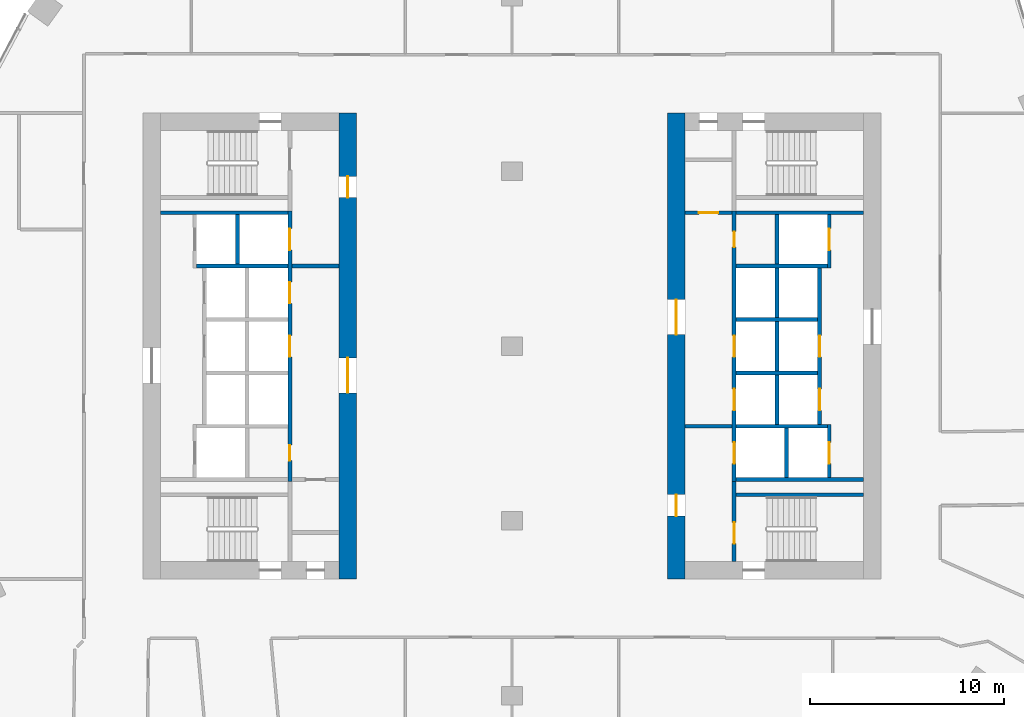
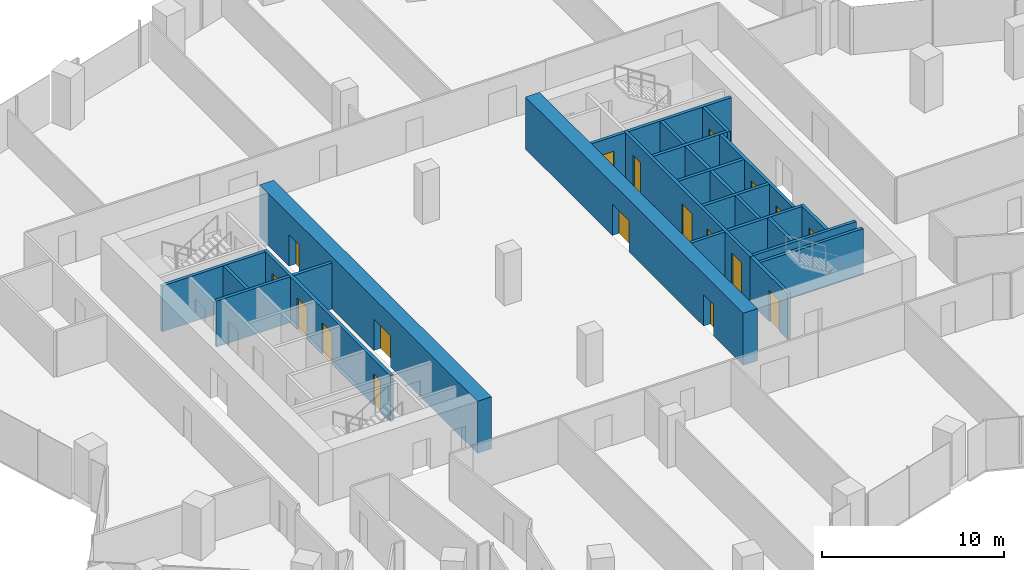
# One storey, part 25 of 31: 26 walls, 18 doors, 18 openings.
"""IFC4 building model written with IfcOpenShell, lengths in metres."""

import ifcopenshell
import ifcopenshell.guid

model = None  # the IFC model being written
_history = None  # IfcOwnerHistory: only IFC2X3 demands one
_inside = {}  # id of a spatial element -> (the spatial element, [elements in it])
_under = {}  # id of a project, library or spatial element -> (it, [spatial elements below it])
_declared = {}  # id of a project -> (the project, [libraries it declares])
_typed = {}  # id of a type object -> (the type object, [elements of that type])
_made_of = {}  # id of a material, layer set ... -> (it, [elements and type objects made of it])


def new_model(schema):
    """Start an empty IFC model of exactly this schema.

    Asked for "IFC4X3", IfcOpenShell would pick the latest addendum, in which some entities
    have other attributes; the version numbers below select the first issue.
    IFC2X3 requires an IfcOwnerHistory on every rooted entity: one is made here for all.
    """
    global model, _history
    if schema == "IFC4X3":
        model = ifcopenshell.file(schema_version=(4, 3, 0, 0))
    else:
        model = ifcopenshell.file(schema=schema)
    _inside.clear()
    _under.clear()
    _declared.clear()
    _typed.clear()
    _made_of.clear()
    _history = None
    if model.schema == "IFC2X3":
        org = make("IfcOrganization", Name="unknown")
        user = make(
            "IfcPersonAndOrganization",
            ThePerson=make("IfcPerson", FamilyName="unknown"),
            TheOrganization=org,
        )
        app = make(
            "IfcApplication",
            ApplicationDeveloper=org,
            Version="unknown",
            ApplicationFullName="unknown",
            ApplicationIdentifier="unknown",
        )
        _history = make(
            "IfcOwnerHistory",
            OwningUser=user,
            OwningApplication=app,
            ChangeAction="ADDED",
            CreationDate=0,
        )
    return model


def make(cls, **values):
    """One entity of the class cls with the attributes given. An attribute that is None is left unset."""
    return model.create_entity(
        cls, **{name: value for name, value in values.items() if value is not None}
    )


def rooted(cls, **values):
    """An entity with a GlobalId (a new one), such as an element, a storey or a relation."""
    return make(cls, GlobalId=ifcopenshell.guid.new(), OwnerHistory=_history, **values)


def si_unit(unit_type, name, prefix=None):
    """IfcSIUnit, for example si_unit("LENGTHUNIT", "METRE", prefix="MILLI")."""
    return make("IfcSIUnit", UnitType=unit_type, Prefix=prefix, Name=name)


def assignment(units):
    """IfcUnitAssignment: the units of a project."""
    return None if units is None else make("IfcUnitAssignment", Units=units)


def point(xyz):
    """IfcCartesianPoint."""
    return None if xyz is None else make("IfcCartesianPoint", Coordinates=xyz)


def direction(xyz):
    """IfcDirection."""
    return None if xyz is None else make("IfcDirection", DirectionRatios=xyz)


def frame(location, z_axis=None, x_axis=None):
    """IfcAxis2Placement3D, a coordinate frame: its origin and axes. An axis left out is left unset."""
    return make(
        "IfcAxis2Placement3D",
        Location=point(location),
        Axis=direction(z_axis),
        RefDirection=direction(x_axis),
    )


def frame_2d(location, x_axis=None):
    """IfcAxis2Placement2D, a coordinate frame in the plane: its origin and x axis."""
    return make(
        "IfcAxis2Placement2D", Location=point(location), RefDirection=direction(x_axis)
    )


def origin():
    """The frame at (0, 0, 0) with its axes left unset."""
    return frame((0.0, 0.0, 0.0))


def place(relative_to, where):
    """IfcLocalPlacement: puts the frame where relative to a parent placement (None: the world)."""
    return make(
        "IfcLocalPlacement", PlacementRelTo=relative_to, RelativePlacement=where
    )


def context(
    kind, dimensions, precision=None, world=None, true_north=None, identifier=None
):
    """IfcGeometricRepresentationContext, for example the 3D "Model" context."""
    return make(
        "IfcGeometricRepresentationContext",
        ContextIdentifier=identifier,
        ContextType=kind,
        CoordinateSpaceDimension=dimensions,
        Precision=precision,
        WorldCoordinateSystem=world,
        TrueNorth=true_north,
    )


def subcontext(parent, identifier, kind, view, scale=None):
    """IfcGeometricRepresentationSubContext, for example "Body" below "Model"."""
    return make(
        "IfcGeometricRepresentationSubContext",
        ContextIdentifier=identifier,
        ContextType=kind,
        ParentContext=parent,
        TargetScale=scale,
        TargetView=view,
    )


def project(units=None, contexts=None):
    """IfcProject with its units and contexts."""
    return rooted(
        "IfcProject",
        Name="project",
        RepresentationContexts=contexts,
        UnitsInContext=assignment(units),
    )


def spatial(cls, under=None, at=None, **own):
    """A site, building, storey or space (cls), placed at a placement, below another one or the project."""
    s = rooted(cls, ObjectPlacement=at, **own)
    if under is not None:
        _under.setdefault(under.id(), (under, []))[1].append(s)
    return s


def profile(cls, at=None, kind="AREA", **sizes):
    """A parametric profile (cls). Its sizes go by their IFC names, for example OverallWidth=200.0."""
    return make(cls, ProfileType=kind, Position=at, **sizes)


def rectangle(**sizes):
    """IfcRectangleProfileDef."""
    return profile("IfcRectangleProfileDef", **sizes)


def extrude(swept, where, along, depth):
    """IfcExtrudedAreaSolid: the profile swept, set in the frame where, extruded along a direction by depth."""
    return make(
        "IfcExtrudedAreaSolid",
        SweptArea=swept,
        Position=where,
        ExtrudedDirection=direction(along),
        Depth=depth,
    )


def shape(context_of_items, identifier, shape_type, items):
    """IfcShapeRepresentation: the items that make up one representation, for example the "Body"."""
    return make(
        "IfcShapeRepresentation",
        ContextOfItems=context_of_items,
        RepresentationIdentifier=identifier,
        RepresentationType=shape_type,
        Items=items,
    )


def material(Name=None, Category=None):
    """IfcMaterial."""
    return make("IfcMaterial", Name=Name, Category=Category)


def layer(
    of_material, thickness, ventilated=None, Name=None, Category=None, Priority=None
):
    """IfcMaterialLayer: one layer of a wall or slab, of a material (None: an air gap)."""
    return make(
        "IfcMaterialLayer",
        Material=of_material,
        LayerThickness=thickness,
        IsVentilated=ventilated,
        Name=Name,
        Category=Category,
        Priority=Priority,
    )


def layer_set(layers, Name=None):
    """IfcMaterialLayerSet."""
    return make("IfcMaterialLayerSet", MaterialLayers=layers, LayerSetName=Name)


def made_of(thing, what):
    """Note that an element or type object is made of a material, layer set ...; save() writes the relation."""
    if what is not None:
        _made_of.setdefault(what.id(), (what, []))[1].append(thing)
    return thing


def type_object(cls, material=None, **own):
    """A type object (cls), such as IfcWallType, which elements share."""
    return made_of(rooted(cls, **own), material)


def element(
    cls,
    number,
    at=None,
    inside=None,
    cuts=None,
    type_object=None,
    material=None,
    context=None,
    identifier="Body",
    shape_type=None,
    held_by="IfcProductDefinitionShape",
    body=None,
    shapes=None,
    **own,
):
    """One element of the class cls, such as IfcWall. Its Tag is "e" and its number.

    at: its placement. inside: the storey or other place that contains it. cuts: it is an
    opening in that element (IfcRelVoidsElement). A single representation is given by context,
    identifier, shape_type and body (its items); several are given by shapes. held_by: the class
    of the entity that holds the representations. save() writes the other relations.
    """
    e = rooted(cls, Tag="e%d" % number, ObjectPlacement=at, **own)
    if body is not None:
        shapes = [shape(context, identifier, shape_type, body)]
    if shapes is not None:
        e.Representation = make(held_by, Representations=shapes)
    if inside is not None:
        _inside.setdefault(inside.id(), (inside, []))[1].append(e)
    if cuts is not None:
        rooted(
            "IfcRelVoidsElement", RelatingBuildingElement=cuts, RelatedOpeningElement=e
        )
    if type_object is not None:
        _typed.setdefault(type_object.id(), (type_object, []))[1].append(e)
    return made_of(e, material)


def fill(opening, filler):
    """IfcRelFillsElement: the door or window that sits in an opening."""
    return rooted(
        "IfcRelFillsElement",
        RelatingOpeningElement=opening,
        RelatedBuildingElement=filler,
    )


def aggregate(whole, parts):
    """IfcRelAggregates: a whole, such as a stair, and the parts it consists of."""
    return rooted("IfcRelAggregates", RelatingObject=whole, RelatedObjects=parts)


def save(model, path):
    """Write the relations noted so far, then the file.

    IfcRelAggregates (storeys below a building ...), IfcRelContainedInSpatialStructure (elements
    in a storey), IfcRelDefinesByType, IfcRelAssociatesMaterial and IfcRelDeclares: one each for
    every whole, place, type object, material and project.
    """
    for whole, parts in _under.values():
        aggregate(whole, parts)
    for where, things in _inside.values():
        rooted(
            "IfcRelContainedInSpatialStructure",
            RelatedElements=things,
            RelatingStructure=where,
        )
    for kind, things in _typed.values():
        rooted("IfcRelDefinesByType", RelatedObjects=things, RelatingType=kind)
    for what, things in _made_of.values():
        rooted("IfcRelAssociatesMaterial", RelatedObjects=things, RelatingMaterial=what)
    for by, libraries in _declared.values():
        rooted("IfcRelDeclares", RelatingContext=by, RelatedDefinitions=libraries)
    model.write(path)


model = new_model("IFC4")

# Units and contexts
model_context = context("Model", 3, precision=1e-05, world=origin(), true_north=direction((0.0, 1.0)))
body_context = subcontext(model_context, "Body", "Model", "MODEL_VIEW")
ifc_project = project(units=[si_unit("LENGTHUNIT", "METRE"), si_unit("AREAUNIT", "SQUARE_METRE"), si_unit("VOLUMEUNIT", "CUBIC_METRE"), si_unit("PLANEANGLEUNIT", "RADIAN"), si_unit("MASSUNIT", "GRAM", prefix="KILO")], contexts=[model_context])

# Site, building, storey
site_placement = place(None, origin())
site = spatial("IfcSite", under=ifc_project, at=site_placement, CompositionType="ELEMENT")
building_placement = place(site_placement, origin())
building = spatial("IfcBuilding", under=site, at=building_placement, Name="Orlundy Tower", CompositionType="ELEMENT")
storey_placement = place(building_placement, frame((0.0, 0.0, 94.699951171875)))
storey = spatial("IfcBuildingStorey", under=building, at=storey_placement, Name="L23", CompositionType="ELEMENT", Elevation=94.699951171875)

# Wall, openings, doors
ifc_material_1 = material(Name="Concrete C80/95", Category="concrete")
ifc_layer_1 = layer(ifc_material_1, 0.89990234375)
ifc_layer_set_1 = layer_set([ifc_layer_1], Name="CORE WALL 900 C80/95")
wall_type_1 = type_object("IfcWallType", Name="CORE WALL 900 C80/95", PredefinedType="SHEAR", material=ifc_layer_set_1)
wall_1_placement = place(storey_placement, frame((-8.449951171875, -12.0, 0.0), z_axis=(0.0, 0.0, 1.0), x_axis=(0.0, 1.0, 0.0)))
wall_1 = element("IfcWall", 1, at=wall_1_placement, inside=storey, type_object=wall_type_1, Name="Core wall W-E L23", PredefinedType="SHEAR", context=body_context, shape_type="SweptSolid", body=[
    extrude(rectangle(XDim=24.0, YDim=0.89990234375, at=frame_2d((12.0, 0.0))), origin(), (0.0, 0.0, 1.0), 3.5),
])
opening_1_placement = place(wall_1_placement, frame((9.60009765625, 0.0, 0.0)))
opening_1 = element("IfcOpeningElement", 2, at=opening_1_placement, cuts=wall_1, Name="Opening 18009", PredefinedType="OPENING", context=body_context, shape_type="SweptSolid", body=[
    extrude(rectangle(XDim=1.800048828125, YDim=2.10009765625, at=frame_2d((0.89990234375, 1.050048828125))), frame((0.0, 0.4599609375, 0.0), z_axis=(0.0, -1.0, 0.0), x_axis=(1.0, 0.0, 0.0)), (0.0, 0.0, 1.0), 0.919921875),
])
opening_2_placement = place(wall_1_placement, frame((19.64990234375, 0.0, 0.0)))
opening_2 = element("IfcOpeningElement", 3, at=opening_2_placement, cuts=wall_1, Name="Opening 18011", PredefinedType="OPENING", context=body_context, shape_type="SweptSolid", body=[
    extrude(rectangle(XDim=1.10009765625, YDim=2.10009765625, at=frame_2d((0.550048828125, 1.050048828125))), frame((0.0, 0.4599609375, 0.0), z_axis=(0.0, -1.0, 0.0), x_axis=(1.0, 0.0, 0.0)), (0.0, 0.0, 1.0), 0.919921875),
])
ifc_material_2 = material(Name="Steel door set", Category="steel")
door_type_1 = type_object("IfcDoorType", Name="Fire-fighting Lobby Door 1100x2100", OperationType="SINGLE_SWING_LEFT", PredefinedType="DOOR", material=ifc_material_2)
door_1_placement = place(opening_2_placement, origin())
door_1 = element("IfcDoor", 4, at=door_1_placement, inside=storey, type_object=door_type_1, Name="Fire-fighting lobby door 18011", OperationType="SINGLE_SWING_RIGHT", OverallHeight=2.10009765625, OverallWidth=1.10009765625, PredefinedType="DOOR", context=body_context, shape_type="SweptSolid", body=[
    extrude(rectangle(XDim=1.10009765625, YDim=2.10009765625, at=frame_2d((0.550048828125, 1.050048828125))), frame((0.0, 0.02490234375, 0.0), z_axis=(0.0, -1.0, 0.0), x_axis=(1.0, 0.0, 0.0)), (0.0, 0.0, 1.0), 0.050048828125),
])
fill(opening_2, door_1)
ifc_material_3 = material(Name="Timber door set", Category="wood")
door_type_2 = type_object("IfcDoorType", Name="Lobby Door 1800x2100", OperationType="DOUBLE_DOOR_DOUBLE_SWING", PredefinedType="DOOR", material=ifc_material_3)
door_2_placement = place(opening_1_placement, origin())
door_2 = element("IfcDoor", 5, at=door_2_placement, inside=storey, type_object=door_type_2, Name="Lift lobby door 18009", OperationType="SINGLE_SWING_LEFT", OverallHeight=2.10009765625, OverallWidth=1.800048828125, PredefinedType="DOOR", context=body_context, shape_type="SweptSolid", body=[
    extrude(rectangle(XDim=1.800048828125, YDim=2.10009765625, at=frame_2d((0.89990234375, 1.050048828125))), frame((0.0, 0.02490234375, 0.0), z_axis=(0.0, -1.0, 0.0), x_axis=(1.0, 0.0, 0.0)), (0.0, 0.0, 1.0), 0.050048828125),
])
fill(opening_1, door_2)

wall_2_placement = place(storey_placement, frame((8.449951171875, -12.0, 0.0), z_axis=(0.0, 0.0, 1.0), x_axis=(0.0, 1.0, 0.0)))
wall_2 = element("IfcWall", 6, at=wall_2_placement, inside=storey, type_object=wall_type_1, Name="Core wall E-W L23", PredefinedType="SHEAR", context=body_context, shape_type="SweptSolid", body=[
    extrude(rectangle(XDim=24.0, YDim=0.89990234375, at=frame_2d((12.0, 0.0))), origin(), (0.0, 0.0, 1.0), 3.5),
])
opening_3_placement = place(wall_2_placement, frame((12.60009765625, 0.0, 0.0)))
opening_3 = element("IfcOpeningElement", 7, at=opening_3_placement, cuts=wall_2, Name="Opening 18058", PredefinedType="OPENING", context=body_context, shape_type="SweptSolid", body=[
    extrude(rectangle(XDim=1.800048828125, YDim=2.10009765625, at=frame_2d((0.89990234375, 1.050048828125))), frame((0.0, 0.4599609375, 0.0), z_axis=(0.0, -1.0, 0.0), x_axis=(1.0, 0.0, 0.0)), (0.0, 0.0, 1.0), 0.919921875),
])
opening_4_placement = place(wall_2_placement, frame((3.25, 0.0, 0.0)))
opening_4 = element("IfcOpeningElement", 8, at=opening_4_placement, cuts=wall_2, Name="Opening 18060", PredefinedType="OPENING", context=body_context, shape_type="SweptSolid", body=[
    extrude(rectangle(XDim=1.10009765625, YDim=2.10009765625, at=frame_2d((0.550048828125, 1.050048828125))), frame((0.0, 0.4599609375, 0.0), z_axis=(0.0, -1.0, 0.0), x_axis=(1.0, 0.0, 0.0)), (0.0, 0.0, 1.0), 0.919921875),
])
door_3_placement = place(opening_4_placement, origin())
door_3 = element("IfcDoor", 9, at=door_3_placement, inside=storey, type_object=door_type_1, Name="Fire-fighting lobby door 18060", OperationType="SINGLE_SWING_LEFT", OverallHeight=2.10009765625, OverallWidth=1.10009765625, PredefinedType="DOOR", context=body_context, shape_type="SweptSolid", body=[
    extrude(rectangle(XDim=1.10009765625, YDim=2.10009765625, at=frame_2d((0.550048828125, 1.050048828125))), frame((0.0, 0.02490234375, 0.0), z_axis=(0.0, -1.0, 0.0), x_axis=(1.0, 0.0, 0.0)), (0.0, 0.0, 1.0), 0.050048828125),
])
fill(opening_4, door_3)
door_4_placement = place(opening_3_placement, origin())
door_4 = element("IfcDoor", 10, at=door_4_placement, inside=storey, type_object=door_type_2, Name="Lift lobby door 18058", OperationType="SINGLE_SWING_RIGHT", OverallHeight=2.10009765625, OverallWidth=1.800048828125, PredefinedType="DOOR", context=body_context, shape_type="SweptSolid", body=[
    extrude(rectangle(XDim=1.800048828125, YDim=2.10009765625, at=frame_2d((0.89990234375, 1.050048828125))), frame((0.0, 0.02490234375, 0.0), z_axis=(0.0, -1.0, 0.0), x_axis=(1.0, 0.0, 0.0)), (0.0, 0.0, 1.0), 0.050048828125),
])
fill(opening_3, door_4)

# Wall, opening, door
ifc_material_4 = material(Name="Concrete C40/50", Category="concrete")
ifc_layer_2 = layer(ifc_material_4, 0.199951171875)
ifc_layer_set_2 = layer_set([ifc_layer_2], Name="Load-bearing Shaft Wall 200")
wall_type_2 = type_object("IfcWallType", Name="Load-bearing Shaft Wall 200", PredefinedType="SOLIDWALL", material=ifc_layer_set_2)
wall_3_placement = place(storey_placement, frame((11.43994140625, -6.97509765625, 0.0), z_axis=(0.0, 0.0, 1.0), x_axis=(0.0, -1.0, 0.0)))
wall_3 = element("IfcWall", 11, at=wall_3_placement, inside=storey, type_object=wall_type_2, Name="Shaft wall E18-stair-end-n", PredefinedType="SOLIDWALL", context=body_context, shape_type="SweptSolid", body=[
    extrude(rectangle(XDim=4.125, YDim=0.199951171875, at=frame_2d((2.0625, 0.0))), origin(), (0.0, 0.0, 1.0), 3.090087890625),
])
opening_5_placement = place(wall_3_placement, frame((2.10009765625, 0.0, 0.0)))
opening_5 = element("IfcOpeningElement", 12, at=opening_5_placement, cuts=wall_3, Name="Opening 18063", PredefinedType="OPENING", context=body_context, shape_type="SweptSolid", body=[
    extrude(rectangle(XDim=1.10009765625, YDim=2.10009765625, at=frame_2d((0.550048828125, 1.050048828125))), frame((0.0, 0.110107421875, 0.0), z_axis=(0.0, -1.0, 0.0), x_axis=(1.0, 0.0, 0.0)), (0.0, 0.0, 1.0), 0.22021484375),
])
door_5_placement = place(opening_5_placement, origin())
door_5 = element("IfcDoor", 13, at=door_5_placement, inside=storey, type_object=door_type_1, Name="Fire-fighting lobby to stair door 18063", OperationType="SINGLE_SWING_RIGHT", OverallHeight=2.10009765625, OverallWidth=1.10009765625, PredefinedType="DOOR", context=body_context, shape_type="SweptSolid", body=[
    extrude(rectangle(XDim=1.10009765625, YDim=2.10009765625, at=frame_2d((0.550048828125, 1.050048828125))), frame((0.0, 0.02490234375, 0.0), z_axis=(0.0, -1.0, 0.0), x_axis=(1.0, 0.0, 0.0)), (0.0, 0.0, 1.0), 0.050048828125),
])
fill(opening_5, door_5)

# Walls
wall_4_placement = place(storey_placement, frame((11.5400390625, -7.64990234375, 0.0), z_axis=(0.0, 0.0, 1.0), x_axis=(1.0, 0.0, 0.0)))
element("IfcWall", 14, at=wall_4_placement, inside=storey, type_object=wall_type_2, Name="Shaft wall E18-stair-side-n", PredefinedType="SOLIDWALL", context=body_context, shape_type="SweptSolid", body=[
    extrude(rectangle(XDim=6.56005859375, YDim=0.199951171875, at=frame_2d((3.280029296875, 0.0))), origin(), (0.0, 0.0, 1.0), 3.090087890625),
])
ifc_material_5 = material(Name="Gypsum board partition on steel studs", Category="steel")
ifc_layer_3 = layer(ifc_material_5, 0.199951171875)
ifc_layer_set_3 = layer_set([ifc_layer_3], Name="Partition 200")
wall_type_3 = type_object("IfcWallType", Name="Partition 200", PredefinedType="PARTITIONING", material=ifc_layer_set_3)
for number, where, z_axis, x_axis, name in (
    (15, (-8.89990234375, 4.125, 0.0), (0.0, 0.0, 1.0), (-1.0, 0.0, 0.0), "Partition wall W18-lobby-n"),
    (16, (8.89990234375, -4.125, 0.0), (0.0, 0.0, 1.0), (1.0, 0.0, 0.0), "Partition wall E18-lobby-n"),
):
    element("IfcWall", number, at=place(storey_placement, frame(where, z_axis=z_axis, x_axis=x_axis)), inside=storey, type_object=wall_type_3, Name=name, PredefinedType="PARTITIONING", context=body_context, shape_type="SweptSolid", body=[
        extrude(rectangle(XDim=2.440185546875, YDim=0.199951171875, at=frame_2d((1.22021484375, 0.0))), origin(), (0.0, 0.0, 1.0), 3.090087890625),
    ])

# Wall, opening, door
wall_5_placement = place(storey_placement, frame((8.89990234375, 6.875, 0.0), z_axis=(0.0, 0.0, 1.0), x_axis=(1.0, 0.0, 0.0)))
wall_5 = element("IfcWall", 17, at=wall_5_placement, inside=storey, type_object=wall_type_3, Name="Partition wall E18-end-s", PredefinedType="PARTITIONING", context=body_context, shape_type="SweptSolid", body=[
    extrude(rectangle(XDim=2.440185546875, YDim=0.199951171875, at=frame_2d((1.22021484375, 0.0))), origin(), (0.0, 0.0, 1.0), 3.090087890625),
])
opening_6_placement = place(wall_5_placement, frame((0.719970703125, 0.0, 0.0)))
opening_6 = element("IfcOpeningElement", 18, at=opening_6_placement, cuts=wall_5, Name="Opening 18065", PredefinedType="OPENING", context=body_context, shape_type="SweptSolid", body=[
    extrude(rectangle(XDim=1.0, YDim=2.10009765625, at=frame_2d((0.5, 1.050048828125))), frame((0.0, 0.110107421875, 0.0), z_axis=(0.0, -1.0, 0.0), x_axis=(1.0, 0.0, 0.0)), (0.0, 0.0, 1.0), 0.22021484375),
])
ifc_material_6 = material(Name="Timber door set", Category="wood")
door_type_3 = type_object("IfcDoorType", Name="Accessible Door 1000x2100", OperationType="SINGLE_SWING_LEFT", PredefinedType="DOOR", material=ifc_material_6)
door_6_placement = place(opening_6_placement, origin())
door_6 = element("IfcDoor", 19, at=door_6_placement, inside=storey, type_object=door_type_3, Name="Accessible WC door 18065", OperationType="SINGLE_SWING_RIGHT", OverallHeight=2.10009765625, OverallWidth=1.0, PredefinedType="DOOR", context=body_context, shape_type="SweptSolid", body=[
    extrude(rectangle(XDim=1.0, YDim=2.10009765625, at=frame_2d((0.5, 1.050048828125))), frame((0.0, 0.02490234375, 0.0), z_axis=(0.0, -1.0, 0.0), x_axis=(1.0, 0.0, 0.0)), (0.0, 0.0, 1.0), 0.050048828125),
])
fill(opening_6, door_6)

# Walls
ifc_material_7 = material(Name="Fire-rated blockwork shaft wall", Category="masonry")
ifc_layer_4 = layer(ifc_material_7, 0.199951171875)
ifc_layer_set_4 = layer_set([ifc_layer_4], Name="Shaft Wall 200")
wall_type_4 = type_object("IfcWallType", Name="Shaft Wall 200", PredefinedType="SOLIDWALL", material=ifc_layer_set_4)
wall_6_placement = place(storey_placement, frame((-11.5400390625, 6.875, 0.0), z_axis=(0.0, 0.0, 1.0), x_axis=(-1.0, 0.0, 0.0)))
element("IfcWall", 20, at=wall_6_placement, inside=storey, type_object=wall_type_4, Name="Shaft wall W18-zone-n", PredefinedType="SOLIDWALL", context=body_context, shape_type="SweptSolid", body=[
    extrude(rectangle(XDim=6.56005859375, YDim=0.199951171875, at=frame_2d((3.280029296875, 0.0))), origin(), (0.0, 0.0, 1.0), 3.090087890625),
])
wall_7_placement = place(storey_placement, frame((-11.5400390625, 4.125, 0.0), z_axis=(0.0, 0.0, 1.0), x_axis=(-1.0, 0.0, 0.0)))
element("IfcWall", 21, at=wall_7_placement, inside=storey, type_object=wall_type_4, Name="Shaft wall W18-cross+4.125", PredefinedType="SOLIDWALL", context=body_context, shape_type="SweptSolid", body=[
    extrude(rectangle(XDim=4.699951171875, YDim=0.199951171875, at=frame_2d((2.35009765625, 0.0))), origin(), (0.0, 0.0, 1.0), 3.090087890625),
])

# Wall, openings, doors
wall_8_placement = place(storey_placement, frame((-11.43994140625, -6.97509765625, 0.0), z_axis=(0.0, 0.0, 1.0), x_axis=(0.0, 1.0, 0.0)))
wall_8 = element("IfcWall", 22, at=wall_8_placement, inside=storey, type_object=wall_type_4, Name="Shaft wall W18-front-h", PredefinedType="SOLIDWALL", context=body_context, shape_type="SweptSolid", body=[
    extrude(rectangle(XDim=13.9501953125, YDim=0.199951171875, at=frame_2d((6.97509765625, 0.0))), origin(), (0.0, 0.0, 1.0), 3.090087890625),
])
opening_7_placement = place(wall_8_placement, frame((6.425048828125, 0.0, 0.0)))
opening_7 = element("IfcOpeningElement", 23, at=opening_7_placement, cuts=wall_8, Name="Opening 18002", PredefinedType="OPENING", context=body_context, shape_type="SweptSolid", body=[
    extrude(rectangle(XDim=1.10009765625, YDim=2.10009765625, at=frame_2d((0.550048828125, 1.050048828125))), frame((0.0, 0.110107421875, 0.0), z_axis=(0.0, -1.0, 0.0), x_axis=(1.0, 0.0, 0.0)), (0.0, 0.0, 1.0), 0.22021484375),
])
opening_8_placement = place(wall_8_placement, frame((9.175048828125, 0.0, 0.0)))
opening_8 = element("IfcOpeningElement", 24, at=opening_8_placement, cuts=wall_8, Name="Opening 18004", PredefinedType="OPENING", context=body_context, shape_type="SweptSolid", body=[
    extrude(rectangle(XDim=1.10009765625, YDim=2.10009765625, at=frame_2d((0.550048828125, 1.050048828125))), frame((0.0, 0.110107421875, 0.0), z_axis=(0.0, -1.0, 0.0), x_axis=(1.0, 0.0, 0.0)), (0.0, 0.0, 1.0), 0.22021484375),
])
opening_9_placement = place(wall_8_placement, frame((11.925048828125, 0.0, 0.0)))
opening_9 = element("IfcOpeningElement", 25, at=opening_9_placement, cuts=wall_8, Name="Opening 18006", PredefinedType="OPENING", context=body_context, shape_type="SweptSolid", body=[
    extrude(rectangle(XDim=1.10009765625, YDim=2.10009765625, at=frame_2d((0.550048828125, 1.050048828125))), frame((0.0, 0.110107421875, 0.0), z_axis=(0.0, -1.0, 0.0), x_axis=(1.0, 0.0, 0.0)), (0.0, 0.0, 1.0), 0.22021484375),
])
opening_10_placement = place(wall_8_placement, frame((1.074951171875, 0.0, 0.0)))
opening_10 = element("IfcOpeningElement", 26, at=opening_10_placement, cuts=wall_8, Name="Opening 18008", PredefinedType="OPENING", context=body_context, shape_type="SweptSolid", body=[
    extrude(rectangle(XDim=0.800048828125, YDim=2.10009765625, at=frame_2d((0.39990234375, 1.050048828125))), frame((0.0, 0.110107421875, 0.0), z_axis=(0.0, -1.0, 0.0), x_axis=(1.0, 0.0, 0.0)), (0.0, 0.0, 1.0), 0.22021484375),
])
ifc_material_8 = material(Name="Steel door set", Category="steel")
door_type_4 = type_object("IfcDoorType", Name="Landing Door 1100x2100", OperationType="DOUBLE_DOOR_SLIDING", PredefinedType="DOOR", material=ifc_material_8)
door_7_placement = place(opening_7_placement, origin())
door_7 = element("IfcDoor", 27, at=door_7_placement, inside=storey, type_object=door_type_4, Name="Lift landing door LP-05 18002", OperationType="DOUBLE_DOOR_SLIDING", OverallHeight=2.10009765625, OverallWidth=1.10009765625, PredefinedType="DOOR", context=body_context, shape_type="SweptSolid", body=[
    extrude(rectangle(XDim=1.10009765625, YDim=2.10009765625, at=frame_2d((0.550048828125, 1.050048828125))), frame((0.0, 0.02490234375, 0.0), z_axis=(0.0, -1.0, 0.0), x_axis=(1.0, 0.0, 0.0)), (0.0, 0.0, 1.0), 0.050048828125),
])
fill(opening_7, door_7)
door_8_placement = place(opening_8_placement, origin())
door_8 = element("IfcDoor", 28, at=door_8_placement, inside=storey, type_object=door_type_4, Name="Lift landing door LP-02 18004", OperationType="DOUBLE_DOOR_SLIDING", OverallHeight=2.10009765625, OverallWidth=1.10009765625, PredefinedType="DOOR", context=body_context, shape_type="SweptSolid", body=[
    extrude(rectangle(XDim=1.10009765625, YDim=2.10009765625, at=frame_2d((0.550048828125, 1.050048828125))), frame((0.0, 0.02490234375, 0.0), z_axis=(0.0, -1.0, 0.0), x_axis=(1.0, 0.0, 0.0)), (0.0, 0.0, 1.0), 0.050048828125),
])
fill(opening_8, door_8)
door_9_placement = place(opening_9_placement, origin())
door_9 = element("IfcDoor", 29, at=door_9_placement, inside=storey, type_object=door_type_4, Name="Lift landing door FL1 18006", OperationType="DOUBLE_DOOR_SLIDING", OverallHeight=2.10009765625, OverallWidth=1.10009765625, PredefinedType="DOOR", context=body_context, shape_type="SweptSolid", body=[
    extrude(rectangle(XDim=1.10009765625, YDim=2.10009765625, at=frame_2d((0.550048828125, 1.050048828125))), frame((0.0, 0.02490234375, 0.0), z_axis=(0.0, -1.0, 0.0), x_axis=(1.0, 0.0, 0.0)), (0.0, 0.0, 1.0), 0.050048828125),
])
fill(opening_9, door_9)
ifc_material_9 = material(Name="Timber door set", Category="wood")
door_type_5 = type_object("IfcDoorType", Name="Riser Door 800x2100", OperationType="SINGLE_SWING_LEFT", PredefinedType="DOOR", material=ifc_material_9)
door_10_placement = place(opening_10_placement, origin())
door_10 = element("IfcDoor", 30, at=door_10_placement, inside=storey, type_object=door_type_5, Name="Electrical Riser Room door 18008", OperationType="SINGLE_SWING_LEFT", OverallHeight=2.10009765625, OverallWidth=0.800048828125, PredefinedType="DOOR", context=body_context, shape_type="SweptSolid", body=[
    extrude(rectangle(XDim=0.800048828125, YDim=2.10009765625, at=frame_2d((0.39990234375, 1.050048828125))), frame((0.0, 0.02490234375, 0.0), z_axis=(0.0, -1.0, 0.0), x_axis=(1.0, 0.0, 0.0)), (0.0, 0.0, 1.0), 0.050048828125),
])
fill(opening_10, door_10)

# Walls
wall_9_placement = place(storey_placement, frame((-14.139892578125, 4.22509765625, 0.0), z_axis=(0.0, 0.0, 1.0), x_axis=(0.0, 1.0, 0.0)))
element("IfcWall", 31, at=wall_9_placement, inside=storey, type_object=wall_type_4, Name="Shaft wall W18-mid-b", PredefinedType="SOLIDWALL", context=body_context, shape_type="SweptSolid", body=[
    extrude(rectangle(XDim=2.5498046875, YDim=0.199951171875, at=frame_2d((1.27490234375, 0.0))), origin(), (0.0, 0.0, 1.0), 3.090087890625),
])
for number, where, z_axis, x_axis, name in (
    (32, (11.5400390625, -6.875, 0.0), (0.0, 0.0, 1.0), (1.0, 0.0, 0.0), "Shaft wall E18-zone-n"),
    (33, (11.5400390625, 6.875, 0.0), (0.0, 0.0, 1.0), (1.0, 0.0, 0.0), "Shaft wall E18-zone-s"),
):
    element("IfcWall", number, at=place(storey_placement, frame(where, z_axis=z_axis, x_axis=x_axis)), inside=storey, type_object=wall_type_4, Name=name, PredefinedType="SOLIDWALL", context=body_context, shape_type="SweptSolid", body=[
        extrude(rectangle(XDim=6.56005859375, YDim=0.199951171875, at=frame_2d((3.280029296875, 0.0))), origin(), (0.0, 0.0, 1.0), 3.090087890625),
    ])
wall_10_placement = place(storey_placement, frame((11.5400390625, 4.125, 0.0), z_axis=(0.0, 0.0, 1.0), x_axis=(1.0, 0.0, 0.0)))
element("IfcWall", 34, at=wall_10_placement, inside=storey, type_object=wall_type_4, Name="Shaft wall E18-cross-4.125", PredefinedType="SOLIDWALL", context=body_context, shape_type="SweptSolid", body=[
    extrude(rectangle(XDim=4.699951171875, YDim=0.199951171875, at=frame_2d((2.35009765625, 0.0))), origin(), (0.0, 0.0, 1.0), 3.090087890625),
])
for number, where, z_axis, x_axis, name in (
    (35, (11.5400390625, 1.375, 0.0), (0.0, 0.0, 1.0), (1.0, 0.0, 0.0), "Shaft wall E18-cross-1.375"),
    (36, (11.5400390625, -1.375, 0.0), (0.0, 0.0, 1.0), (1.0, 0.0, 0.0), "Shaft wall E18-cross+1.375"),
):
    element("IfcWall", number, at=place(storey_placement, frame(where, z_axis=z_axis, x_axis=x_axis)), inside=storey, type_object=wall_type_4, Name=name, PredefinedType="SOLIDWALL", context=body_context, shape_type="SweptSolid", body=[
        extrude(rectangle(XDim=4.199951171875, YDim=0.199951171875, at=frame_2d((2.10009765625, 0.0))), origin(), (0.0, 0.0, 1.0), 3.090087890625),
    ])
wall_11_placement = place(storey_placement, frame((11.5400390625, -4.125, 0.0), z_axis=(0.0, 0.0, 1.0), x_axis=(1.0, 0.0, 0.0)))
element("IfcWall", 37, at=wall_11_placement, inside=storey, type_object=wall_type_4, Name="Shaft wall E18-cross+4.125", PredefinedType="SOLIDWALL", context=body_context, shape_type="SweptSolid", body=[
    extrude(rectangle(XDim=4.699951171875, YDim=0.199951171875, at=frame_2d((2.35009765625, 0.0))), origin(), (0.0, 0.0, 1.0), 3.090087890625),
])

# Wall, openings, doors
wall_12_placement = place(storey_placement, frame((11.43994140625, 6.97509765625, 0.0), z_axis=(0.0, 0.0, 1.0), x_axis=(0.0, -1.0, 0.0)))
wall_12 = element("IfcWall", 38, at=wall_12_placement, inside=storey, type_object=wall_type_4, Name="Shaft wall E18-front-h", PredefinedType="SOLIDWALL", context=body_context, shape_type="SweptSolid", body=[
    extrude(rectangle(XDim=13.9501953125, YDim=0.199951171875, at=frame_2d((6.97509765625, 0.0))), origin(), (0.0, 0.0, 1.0), 3.090087890625),
])
opening_11_placement = place(wall_12_placement, frame((6.425048828125, 0.0, 0.0)))
opening_11 = element("IfcOpeningElement", 39, at=opening_11_placement, cuts=wall_12, Name="Opening 18051", PredefinedType="OPENING", context=body_context, shape_type="SweptSolid", body=[
    extrude(rectangle(XDim=1.10009765625, YDim=2.10009765625, at=frame_2d((0.550048828125, 1.050048828125))), frame((0.0, 0.110107421875, 0.0), z_axis=(0.0, -1.0, 0.0), x_axis=(1.0, 0.0, 0.0)), (0.0, 0.0, 1.0), 0.22021484375),
])
opening_12_placement = place(wall_12_placement, frame((9.175048828125, 0.0, 0.0)))
opening_12 = element("IfcOpeningElement", 40, at=opening_12_placement, cuts=wall_12, Name="Opening 18053", PredefinedType="OPENING", context=body_context, shape_type="SweptSolid", body=[
    extrude(rectangle(XDim=1.10009765625, YDim=2.10009765625, at=frame_2d((0.550048828125, 1.050048828125))), frame((0.0, 0.110107421875, 0.0), z_axis=(0.0, -1.0, 0.0), x_axis=(1.0, 0.0, 0.0)), (0.0, 0.0, 1.0), 0.22021484375),
])
opening_13_placement = place(wall_12_placement, frame((11.925048828125, 0.0, 0.0)))
opening_13 = element("IfcOpeningElement", 41, at=opening_13_placement, cuts=wall_12, Name="Opening 18055", PredefinedType="OPENING", context=body_context, shape_type="SweptSolid", body=[
    extrude(rectangle(XDim=1.10009765625, YDim=2.10009765625, at=frame_2d((0.550048828125, 1.050048828125))), frame((0.0, 0.110107421875, 0.0), z_axis=(0.0, -1.0, 0.0), x_axis=(1.0, 0.0, 0.0)), (0.0, 0.0, 1.0), 0.22021484375),
])
opening_14_placement = place(wall_12_placement, frame((1.074951171875, 0.0, 0.0)))
opening_14 = element("IfcOpeningElement", 42, at=opening_14_placement, cuts=wall_12, Name="Opening 18057", PredefinedType="OPENING", context=body_context, shape_type="SweptSolid", body=[
    extrude(rectangle(XDim=0.800048828125, YDim=2.10009765625, at=frame_2d((0.39990234375, 1.050048828125))), frame((0.0, 0.110107421875, 0.0), z_axis=(0.0, -1.0, 0.0), x_axis=(1.0, 0.0, 0.0)), (0.0, 0.0, 1.0), 0.22021484375),
])
door_11_placement = place(opening_11_placement, origin())
door_11 = element("IfcDoor", 43, at=door_11_placement, inside=storey, type_object=door_type_4, Name="Lift landing door LP-10 18051", OperationType="DOUBLE_DOOR_SLIDING", OverallHeight=2.10009765625, OverallWidth=1.10009765625, PredefinedType="DOOR", context=body_context, shape_type="SweptSolid", body=[
    extrude(rectangle(XDim=1.10009765625, YDim=2.10009765625, at=frame_2d((0.550048828125, 1.050048828125))), frame((0.0, 0.02490234375, 0.0), z_axis=(0.0, -1.0, 0.0), x_axis=(1.0, 0.0, 0.0)), (0.0, 0.0, 1.0), 0.050048828125),
])
fill(opening_11, door_11)
door_12_placement = place(opening_12_placement, origin())
door_12 = element("IfcDoor", 44, at=door_12_placement, inside=storey, type_object=door_type_4, Name="Lift landing door LP-07 18053", OperationType="DOUBLE_DOOR_SLIDING", OverallHeight=2.10009765625, OverallWidth=1.10009765625, PredefinedType="DOOR", context=body_context, shape_type="SweptSolid", body=[
    extrude(rectangle(XDim=1.10009765625, YDim=2.10009765625, at=frame_2d((0.550048828125, 1.050048828125))), frame((0.0, 0.02490234375, 0.0), z_axis=(0.0, -1.0, 0.0), x_axis=(1.0, 0.0, 0.0)), (0.0, 0.0, 1.0), 0.050048828125),
])
fill(opening_12, door_12)
door_13_placement = place(opening_13_placement, origin())
door_13 = element("IfcDoor", 45, at=door_13_placement, inside=storey, type_object=door_type_4, Name="Lift landing door FL2 18055", OperationType="DOUBLE_DOOR_SLIDING", OverallHeight=2.10009765625, OverallWidth=1.10009765625, PredefinedType="DOOR", context=body_context, shape_type="SweptSolid", body=[
    extrude(rectangle(XDim=1.10009765625, YDim=2.10009765625, at=frame_2d((0.550048828125, 1.050048828125))), frame((0.0, 0.02490234375, 0.0), z_axis=(0.0, -1.0, 0.0), x_axis=(1.0, 0.0, 0.0)), (0.0, 0.0, 1.0), 0.050048828125),
])
fill(opening_13, door_13)
door_14_placement = place(opening_14_placement, origin())
door_14 = element("IfcDoor", 46, at=door_14_placement, inside=storey, type_object=door_type_5, Name="Electrical Riser Room door 18057", OperationType="SINGLE_SWING_LEFT", OverallHeight=2.10009765625, OverallWidth=0.800048828125, PredefinedType="DOOR", context=body_context, shape_type="SweptSolid", body=[
    extrude(rectangle(XDim=0.800048828125, YDim=2.10009765625, at=frame_2d((0.39990234375, 1.050048828125))), frame((0.0, 0.02490234375, 0.0), z_axis=(0.0, -1.0, 0.0), x_axis=(1.0, 0.0, 0.0)), (0.0, 0.0, 1.0), 0.050048828125),
])
fill(opening_14, door_14)

# Walls
for number, where, z_axis, x_axis, name in (
    (47, (13.639892578125, 6.77490234375, 0.0), (0.0, 0.0, 1.0), (0.0, -1.0, 0.0), "Shaft wall E18-mid-a"),
    (48, (13.639892578125, 4.02490234375, 0.0), (0.0, 0.0, 1.0), (0.0, -1.0, 0.0), "Shaft wall E18-mid-a.1"),
    (49, (13.639892578125, 1.27490234375, 0.0), (0.0, 0.0, 1.0), (0.0, -1.0, 0.0), "Shaft wall E18-mid-a.2"),
    (50, (13.639892578125, -1.47509765625, 0.0), (0.0, 0.0, 1.0), (0.0, -1.0, 0.0), "Shaft wall E18-mid-a.3"),
    (51, (14.139892578125, -4.22509765625, 0.0), (0.0, 0.0, 1.0), (0.0, -1.0, 0.0), "Shaft wall E18-mid-b"),
):
    element("IfcWall", number, at=place(storey_placement, frame(where, z_axis=z_axis, x_axis=x_axis)), inside=storey, type_object=wall_type_4, Name=name, PredefinedType="SOLIDWALL", context=body_context, shape_type="SweptSolid", body=[
        extrude(rectangle(XDim=2.5498046875, YDim=0.199951171875, at=frame_2d((1.27490234375, 0.0))), origin(), (0.0, 0.0, 1.0), 3.090087890625),
    ])

# Wall, opening, door
wall_13_placement = place(storey_placement, frame((16.340087890625, 6.77490234375, 0.0), z_axis=(0.0, 0.0, 1.0), x_axis=(0.0, -1.0, 0.0)))
wall_13 = element("IfcWall", 52, at=wall_13_placement, inside=storey, type_object=wall_type_4, Name="Shaft wall E18-front-o-a", PredefinedType="SOLIDWALL", context=body_context, shape_type="SweptSolid", body=[
    extrude(rectangle(XDim=2.75, YDim=0.199951171875, at=frame_2d((1.375, 0.0))), origin(), (0.0, 0.0, 1.0), 3.090087890625),
])
opening_15_placement = place(wall_13_placement, frame((0.72509765625, 0.0, 0.0)))
opening_15 = element("IfcOpeningElement", 53, at=opening_15_placement, cuts=wall_13, Name="Opening 18050", PredefinedType="OPENING", context=body_context, shape_type="SweptSolid", body=[
    extrude(rectangle(XDim=1.10009765625, YDim=2.10009765625, at=frame_2d((0.550048828125, 1.050048828125))), frame((0.0, 0.110107421875, 0.0), z_axis=(0.0, -1.0, 0.0), x_axis=(1.0, 0.0, 0.0)), (0.0, 0.0, 1.0), 0.22021484375),
])
door_15_placement = place(opening_15_placement, origin())
door_15 = element("IfcDoor", 54, at=door_15_placement, inside=storey, type_object=door_type_4, Name="Lift landing door LV-02 18050", OperationType="DOUBLE_DOOR_SLIDING", OverallHeight=2.10009765625, OverallWidth=1.10009765625, PredefinedType="DOOR", context=body_context, shape_type="SweptSolid", body=[
    extrude(rectangle(XDim=1.10009765625, YDim=2.10009765625, at=frame_2d((0.550048828125, 1.050048828125))), frame((0.0, 0.02490234375, 0.0), z_axis=(0.0, -1.0, 0.0), x_axis=(1.0, 0.0, 0.0)), (0.0, 0.0, 1.0), 0.050048828125),
])
fill(opening_15, door_15)

# Wall, openings, doors
wall_14_placement = place(storey_placement, frame((15.840087890625, 4.02490234375, 0.0), z_axis=(0.0, 0.0, 1.0), x_axis=(0.0, -1.0, 0.0)))
wall_14 = element("IfcWall", 55, at=wall_14_placement, inside=storey, type_object=wall_type_4, Name="Shaft wall E18-front-o-b", PredefinedType="SOLIDWALL", context=body_context, shape_type="SweptSolid", body=[
    extrude(rectangle(XDim=8.0498046875, YDim=0.199951171875, at=frame_2d((4.02490234375, 0.0))), origin(), (0.0, 0.0, 1.0), 3.090087890625),
])
opening_16_placement = place(wall_14_placement, frame((3.47509765625, 0.0, 0.0)))
opening_16 = element("IfcOpeningElement", 56, at=opening_16_placement, cuts=wall_14, Name="Opening 18052", PredefinedType="OPENING", context=body_context, shape_type="SweptSolid", body=[
    extrude(rectangle(XDim=1.10009765625, YDim=2.10009765625, at=frame_2d((0.550048828125, 1.050048828125))), frame((0.0, 0.110107421875, 0.0), z_axis=(0.0, -1.0, 0.0), x_axis=(1.0, 0.0, 0.0)), (0.0, 0.0, 1.0), 0.22021484375),
])
opening_17_placement = place(wall_14_placement, frame((6.22509765625, 0.0, 0.0)))
opening_17 = element("IfcOpeningElement", 57, at=opening_17_placement, cuts=wall_14, Name="Opening 18054", PredefinedType="OPENING", context=body_context, shape_type="SweptSolid", body=[
    extrude(rectangle(XDim=1.10009765625, YDim=2.10009765625, at=frame_2d((0.550048828125, 1.050048828125))), frame((0.0, 0.110107421875, 0.0), z_axis=(0.0, -1.0, 0.0), x_axis=(1.0, 0.0, 0.0)), (0.0, 0.0, 1.0), 0.22021484375),
])
door_16_placement = place(opening_16_placement, origin())
door_16 = element("IfcDoor", 58, at=door_16_placement, inside=storey, type_object=door_type_4, Name="Lift landing door LP-06 18052", OperationType="DOUBLE_DOOR_SLIDING", OverallHeight=2.10009765625, OverallWidth=1.10009765625, PredefinedType="DOOR", context=body_context, shape_type="SweptSolid", body=[
    extrude(rectangle(XDim=1.10009765625, YDim=2.10009765625, at=frame_2d((0.550048828125, 1.050048828125))), frame((0.0, 0.02490234375, 0.0), z_axis=(0.0, -1.0, 0.0), x_axis=(1.0, 0.0, 0.0)), (0.0, 0.0, 1.0), 0.050048828125),
])
fill(opening_16, door_16)
door_17_placement = place(opening_17_placement, origin())
door_17 = element("IfcDoor", 59, at=door_17_placement, inside=storey, type_object=door_type_4, Name="Lift landing door LP-08 18054", OperationType="DOUBLE_DOOR_SLIDING", OverallHeight=2.10009765625, OverallWidth=1.10009765625, PredefinedType="DOOR", context=body_context, shape_type="SweptSolid", body=[
    extrude(rectangle(XDim=1.10009765625, YDim=2.10009765625, at=frame_2d((0.550048828125, 1.050048828125))), frame((0.0, 0.02490234375, 0.0), z_axis=(0.0, -1.0, 0.0), x_axis=(1.0, 0.0, 0.0)), (0.0, 0.0, 1.0), 0.050048828125),
])
fill(opening_17, door_17)

# Wall, opening, door
wall_15_placement = place(storey_placement, frame((16.340087890625, -4.02490234375, 0.0), z_axis=(0.0, 0.0, 1.0), x_axis=(0.0, -1.0, 0.0)))
wall_15 = element("IfcWall", 60, at=wall_15_placement, inside=storey, type_object=wall_type_4, Name="Shaft wall E18-front-o-c", PredefinedType="SOLIDWALL", context=body_context, shape_type="SweptSolid", body=[
    extrude(rectangle(XDim=2.75, YDim=0.199951171875, at=frame_2d((1.375, 0.0))), origin(), (0.0, 0.0, 1.0), 3.090087890625),
])
opening_18_placement = place(wall_15_placement, frame((0.925048828125, 0.0, 0.0)))
opening_18 = element("IfcOpeningElement", 61, at=opening_18_placement, cuts=wall_15, Name="Opening 18056", PredefinedType="OPENING", context=body_context, shape_type="SweptSolid", body=[
    extrude(rectangle(XDim=1.10009765625, YDim=2.10009765625, at=frame_2d((0.550048828125, 1.050048828125))), frame((0.0, 0.110107421875, 0.0), z_axis=(0.0, -1.0, 0.0), x_axis=(1.0, 0.0, 0.0)), (0.0, 0.0, 1.0), 0.22021484375),
])
door_18_placement = place(opening_18_placement, origin())
door_18 = element("IfcDoor", 62, at=door_18_placement, inside=storey, type_object=door_type_4, Name="Lift landing door LP-09 18056", OperationType="DOUBLE_DOOR_SLIDING", OverallHeight=2.10009765625, OverallWidth=1.10009765625, PredefinedType="DOOR", context=body_context, shape_type="SweptSolid", body=[
    extrude(rectangle(XDim=1.10009765625, YDim=2.10009765625, at=frame_2d((0.550048828125, 1.050048828125))), frame((0.0, 0.02490234375, 0.0), z_axis=(0.0, -1.0, 0.0), x_axis=(1.0, 0.0, 0.0)), (0.0, 0.0, 1.0), 0.050048828125),
])
fill(opening_18, door_18)

save(model, "model.ifc")
